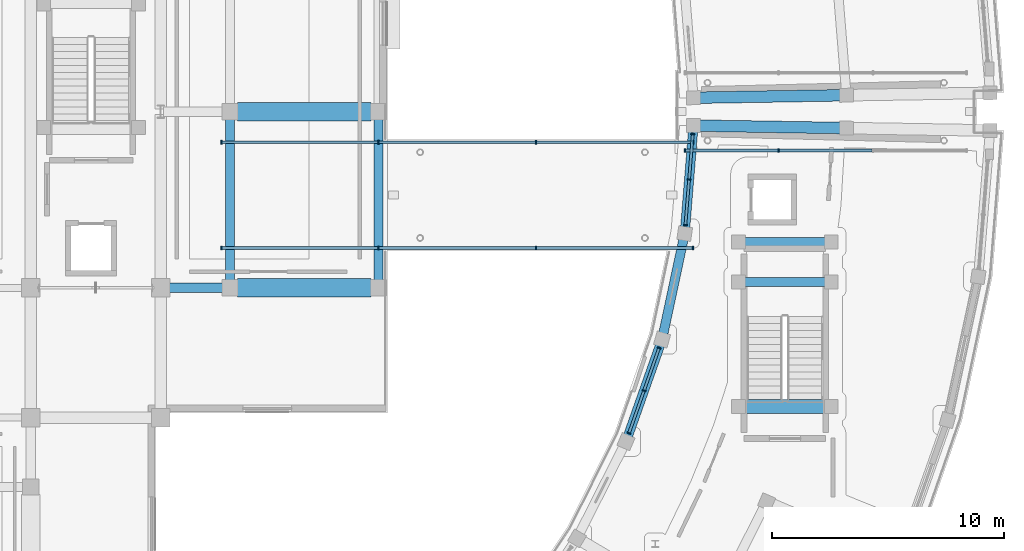
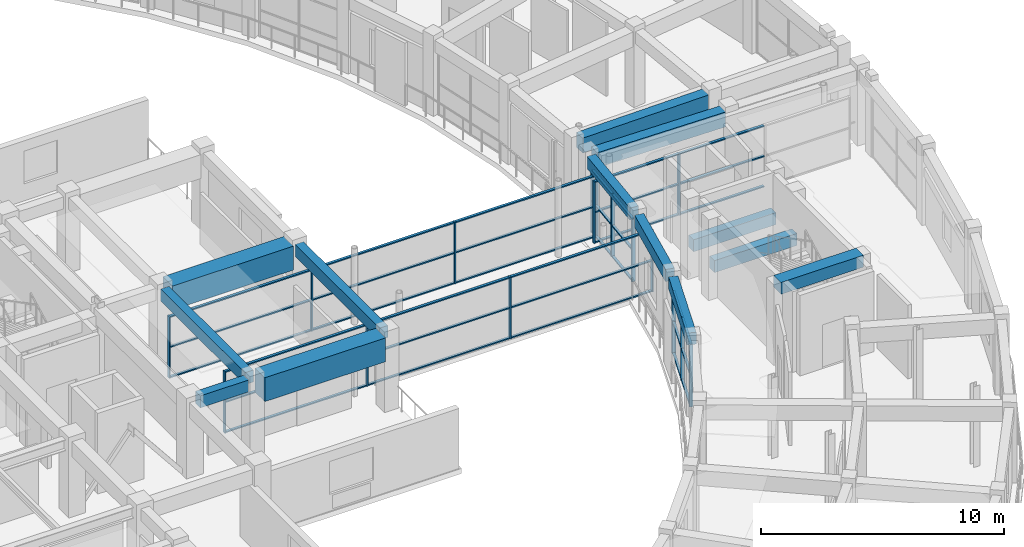
# One storey, part 25 of 70: 52 members, 13 beams, 5 elements without a shape of their own.
"""IFC4 building model written with IfcOpenShell, lengths in metres."""

from ifc_helpers import new_model, si_unit, direction, frame, origin, origin_2d, place, context, subcontext, project, spatial, rectangle, extrude, material, material_profile, profile_set, type_object, element, aggregate, save


model = new_model("IFC4")

# Units and contexts
model_context = context("Model", 3, precision=1e-05, world=origin(), true_north=direction((0.0, 1.0)))
body_context = subcontext(model_context, "Body", "Model", "MODEL_VIEW")
ifc_project = project(units=[si_unit("LENGTHUNIT", "METRE"), si_unit("AREAUNIT", "SQUARE_METRE"), si_unit("VOLUMEUNIT", "CUBIC_METRE"), si_unit("PLANEANGLEUNIT", "RADIAN"), si_unit("MASSUNIT", "GRAM", prefix="KILO")], contexts=[model_context])

# Site, building, storey
site_placement = place(None, origin())
site = spatial("IfcSite", under=ifc_project, at=site_placement, CompositionType="ELEMENT")
building_placement = place(site_placement, origin())
building = spatial("IfcBuilding", under=site, at=building_placement, Name="Saryqyr Civic Hall", CompositionType="ELEMENT")
storey_placement = place(building_placement, frame((0.0, 0.0, 13.199951171875)))
storey = spatial("IfcBuildingStorey", under=building, at=storey_placement, Name="L03", CompositionType="ELEMENT", Elevation=13.199951171875)

# Curtain wall, members
ifc_material_1 = material(Name="Anodised aluminium and triple low-E glass", Category="aluminium")
curtain_wall_type_1 = type_object("IfcCurtainWallType", Name="ENV-CW-STD-21", PredefinedType="NOTDEFINED", material=ifc_material_1)
curtain_wall_1_placement = place(storey_placement, origin())
curtain_wall_1 = element("IfcCurtainWall", 1, at=curtain_wall_1_placement, inside=storey, type_object=curtain_wall_type_1, Name="Curtain wall V5-CWI-L03-07", PredefinedType="NOTDEFINED")
ifc_material_2 = material(Name="Anodised aluminium", Category="aluminium")
ifc_material_profile_1 = material_profile(ifc_material_2, rectangle(XDim=0.06005859375, YDim=0.159912109375, at=origin_2d()), Name="ALU MULLION 60x160")
ifc_profile_set_1 = profile_set([ifc_material_profile_1], Name="Anodised aluminium")
member_type_1 = type_object("IfcMemberType", Name="ENV-CW-MUL-180", PredefinedType="MULLION", material=ifc_profile_set_1)
member_1_placement = place(storey_placement, frame((90.41162109375, 70.1279296875, 0.0), z_axis=(0.0, 0.0, 1.0), x_axis=(0.333171977335, 0.94286607401, 0.0)))
member_1 = element("IfcMember", 2, at=member_1_placement, type_object=member_type_1, Name="CW-21 mullion 1", PredefinedType="MULLION", context=body_context, shape_type="SweptSolid", body=[
    extrude(rectangle(XDim=0.06005859375, YDim=0.159912109375, at=origin_2d()), origin(), (0.0, 0.0, 1.0), 3.1650390625),
])
member_2_placement = place(storey_placement, frame((91.060302734375, 71.963623046875, 0.0), z_axis=(0.0, 0.0, 1.0), x_axis=(0.333171977335, 0.94286607401, 0.0)))
member_2 = element("IfcMember", 3, at=member_2_placement, type_object=member_type_1, Name="CW-21 mullion 2", PredefinedType="MULLION", context=body_context, shape_type="SweptSolid", body=[
    extrude(rectangle(XDim=0.06005859375, YDim=0.159912109375, at=origin_2d()), origin(), (0.0, 0.0, 1.0), 3.1650390625),
])
member_3_placement = place(storey_placement, frame((91.708984375, 73.799560546875, 0.0), z_axis=(0.0, 0.0, 1.0), x_axis=(0.333171977335, 0.94286607401, 0.0)))
member_3 = element("IfcMember", 4, at=member_3_placement, type_object=member_type_1, Name="CW-21 mullion 3", PredefinedType="MULLION", context=body_context, shape_type="SweptSolid", body=[
    extrude(rectangle(XDim=0.06005859375, YDim=0.159912109375, at=origin_2d()), origin(), (0.0, 0.0, 1.0), 3.1650390625),
])

curtain_wall_2_placement = place(storey_placement, origin())
curtain_wall_2 = element("IfcCurtainWall", 5, at=curtain_wall_2_placement, inside=storey, type_object=curtain_wall_type_1, Name="Curtain wall V5-CWI-L03-09", PredefinedType="NOTDEFINED")
member_4_placement = place(storey_placement, frame((92.845947265625, 79.10986328125, 0.0), z_axis=(0.0, 0.0, 1.0), x_axis=(0.081090889978, 0.996706710905, 0.0)))
member_4 = element("IfcMember", 6, at=member_4_placement, type_object=member_type_1, Name="CW-21 mullion 1", PredefinedType="MULLION", context=body_context, shape_type="SweptSolid", body=[
    extrude(rectangle(XDim=0.06005859375, YDim=0.159912109375, at=origin_2d()), origin(), (0.0, 0.0, 1.0), 3.1650390625),
])
member_5_placement = place(storey_placement, frame((93.00537109375, 81.06982421875, 0.0), z_axis=(0.0, 0.0, 1.0), x_axis=(0.081090889978, 0.996706710905, 0.0)))
member_5 = element("IfcMember", 7, at=member_5_placement, type_object=member_type_1, Name="CW-21 mullion 2", PredefinedType="MULLION", context=body_context, shape_type="SweptSolid", body=[
    extrude(rectangle(XDim=0.06005859375, YDim=0.159912109375, at=origin_2d()), origin(), (0.0, 0.0, 1.0), 3.1650390625),
])
member_6_placement = place(storey_placement, frame((93.164794921875, 83.02978515625, 0.0), z_axis=(0.0, 0.0, 1.0), x_axis=(0.081090889978, 0.996706710905, 0.0)))
member_6 = element("IfcMember", 8, at=member_6_placement, type_object=member_type_1, Name="CW-21 mullion 3", PredefinedType="MULLION", context=body_context, shape_type="SweptSolid", body=[
    extrude(rectangle(XDim=0.06005859375, YDim=0.159912109375, at=origin_2d()), origin(), (0.0, 0.0, 1.0), 3.1650390625),
])

curtain_wall_type_2 = type_object("IfcCurtainWallType", Name="ENV-CW-STD-81", PredefinedType="NOTDEFINED", material=ifc_material_1)
curtain_wall_3_placement = place(storey_placement, origin())
curtain_wall_3 = element("IfcCurtainWall", 9, at=curtain_wall_3_placement, inside=storey, type_object=curtain_wall_type_2, Name="Curtain wall BR-E-CW1-L03", PredefinedType="NOTDEFINED")
member_7_placement = place(storey_placement, frame((96.86669921875, 82.320068359375, 0.0), z_axis=(0.0, 0.0, 1.0), x_axis=(-1.0, 0.0, 0.0)))
member_7 = element("IfcMember", 10, at=member_7_placement, type_object=member_type_1, Name="CW-81 mullion 3", PredefinedType="MULLION", context=body_context, shape_type="SweptSolid", body=[
    extrude(rectangle(XDim=0.06005859375, YDim=0.159912109375, at=origin_2d()), origin(), (0.0, 0.0, 1.0), 3.10009765625),
])
member_8_placement = place(storey_placement, frame((92.830078125, 82.320068359375, 0.0), z_axis=(0.0, 0.0, 1.0), x_axis=(-1.0, 0.0, 0.0)))
member_8 = element("IfcMember", 11, at=member_8_placement, type_object=member_type_1, Name="CW-81 mullion 4", PredefinedType="MULLION", context=body_context, shape_type="SweptSolid", body=[
    extrude(rectangle(XDim=0.06005859375, YDim=0.159912109375, at=origin_2d()), origin(), (0.0, 0.0, 1.0), 3.10009765625),
])

curtain_wall_type_3 = type_object("IfcCurtainWallType", Name="ENV-CW-STD-87", PredefinedType="NOTDEFINED", material=ifc_material_1)
curtain_wall_4_placement = place(storey_placement, origin())
curtain_wall_4 = element("IfcCurtainWall", 12, at=curtain_wall_4_placement, inside=storey, type_object=curtain_wall_type_3, Name="Curtain wall BR-CE-CW1-L03", PredefinedType="NOTDEFINED")
member_9_placement = place(storey_placement, frame((93.169921875, 78.1201171875, 0.0), z_axis=(0.0, 0.0, 1.0), x_axis=(-1.0, 0.0, 0.0)))
member_9 = element("IfcMember", 13, at=member_9_placement, type_object=member_type_1, Name="CW-87 mullion 1", PredefinedType="MULLION", context=body_context, shape_type="SweptSolid", body=[
    extrude(rectangle(XDim=0.06005859375, YDim=0.159912109375, at=origin_2d()), origin(), (0.0, 0.0, 1.0), 3.10009765625),
])
member_10_placement = place(storey_placement, frame((86.39990234375, 78.1201171875, 0.0), z_axis=(0.0, 0.0, 1.0), x_axis=(-1.0, 0.0, 0.0)))
member_10 = element("IfcMember", 14, at=member_10_placement, type_object=member_type_1, Name="CW-87 mullion 2", PredefinedType="MULLION", context=body_context, shape_type="SweptSolid", body=[
    extrude(rectangle(XDim=0.06005859375, YDim=0.159912109375, at=origin_2d()), origin(), (0.0, 0.0, 1.0), 3.10009765625),
])
member_11_placement = place(storey_placement, frame((79.60009765625, 78.1201171875, 0.0), z_axis=(0.0, 0.0, 1.0), x_axis=(-1.0, 0.0, 0.0)))
member_11 = element("IfcMember", 15, at=member_11_placement, type_object=member_type_1, Name="CW-87 mullion 3", PredefinedType="MULLION", context=body_context, shape_type="SweptSolid", body=[
    extrude(rectangle(XDim=0.06005859375, YDim=0.159912109375, at=origin_2d()), origin(), (0.0, 0.0, 1.0), 3.10009765625),
])
member_12_placement = place(storey_placement, frame((72.830078125, 78.1201171875, 0.0), z_axis=(0.0, 0.0, 1.0), x_axis=(-1.0, 0.0, 0.0)))
member_12 = element("IfcMember", 16, at=member_12_placement, type_object=member_type_1, Name="CW-87 mullion 4", PredefinedType="MULLION", context=body_context, shape_type="SweptSolid", body=[
    extrude(rectangle(XDim=0.06005859375, YDim=0.159912109375, at=origin_2d()), origin(), (0.0, 0.0, 1.0), 3.10009765625),
])

curtain_wall_5_placement = place(storey_placement, origin())
curtain_wall_5 = element("IfcCurtainWall", 17, at=curtain_wall_5_placement, inside=storey, type_object=curtain_wall_type_3, Name="Curtain wall BR-CE-CW2-L03", PredefinedType="NOTDEFINED")
member_13_placement = place(storey_placement, frame((72.830078125, 82.679931640625, 0.0), z_axis=(0.0, 0.0, 1.0), x_axis=(1.0, 0.0, 0.0)))
member_13 = element("IfcMember", 18, at=member_13_placement, type_object=member_type_1, Name="CW-87 mullion 1", PredefinedType="MULLION", context=body_context, shape_type="SweptSolid", body=[
    extrude(rectangle(XDim=0.06005859375, YDim=0.159912109375, at=origin_2d()), origin(), (0.0, 0.0, 1.0), 3.10009765625),
])
member_14_placement = place(storey_placement, frame((79.60009765625, 82.679931640625, 0.0), z_axis=(0.0, 0.0, 1.0), x_axis=(1.0, 0.0, 0.0)))
member_14 = element("IfcMember", 19, at=member_14_placement, type_object=member_type_1, Name="CW-87 mullion 2", PredefinedType="MULLION", context=body_context, shape_type="SweptSolid", body=[
    extrude(rectangle(XDim=0.06005859375, YDim=0.159912109375, at=origin_2d()), origin(), (0.0, 0.0, 1.0), 3.10009765625),
])
member_15_placement = place(storey_placement, frame((86.39990234375, 82.679931640625, 0.0), z_axis=(0.0, 0.0, 1.0), x_axis=(1.0, 0.0, 0.0)))
member_15 = element("IfcMember", 20, at=member_15_placement, type_object=member_type_1, Name="CW-87 mullion 3", PredefinedType="MULLION", context=body_context, shape_type="SweptSolid", body=[
    extrude(rectangle(XDim=0.06005859375, YDim=0.159912109375, at=origin_2d()), origin(), (0.0, 0.0, 1.0), 3.10009765625),
])
member_16_placement = place(storey_placement, frame((93.169921875, 82.679931640625, 0.0), z_axis=(0.0, 0.0, 1.0), x_axis=(1.0, 0.0, 0.0)))
member_16 = element("IfcMember", 21, at=member_16_placement, type_object=member_type_1, Name="CW-87 mullion 4", PredefinedType="MULLION", context=body_context, shape_type="SweptSolid", body=[
    extrude(rectangle(XDim=0.06005859375, YDim=0.159912109375, at=origin_2d()), origin(), (0.0, 0.0, 1.0), 3.10009765625),
])

# Member
ifc_material_profile_2 = material_profile(ifc_material_2, rectangle(XDim=0.1201171875, YDim=0.06005859375, at=origin_2d()), Name="ALU TRANSOM 120x60")
ifc_profile_set_2 = profile_set([ifc_material_profile_2], Name="Anodised aluminium")
member_type_2 = type_object("IfcMemberType", Name="ENV-CW-TRN-150", PredefinedType="USERDEFINED", material=ifc_profile_set_2)
member_17_placement = place(storey_placement, frame((90.421630859375, 70.15625, 0.030029296875), z_axis=(0.333178802066, 0.942863662389, 0.0), x_axis=(-0.942863662389, 0.333178802066, 0.0)))
member_17 = element("IfcMember", 22, at=member_17_placement, type_object=member_type_2, Name="CW-21 transom 1.1", ObjectType="TRANSOM", PredefinedType="USERDEFINED", context=body_context, shape_type="SweptSolid", body=[
    extrude(rectangle(XDim=0.1201171875, YDim=0.06005859375, at=origin_2d()), origin(), (0.0, 0.0, 1.0), 1.886962890625),
])

member_18_placement = place(storey_placement, frame((90.421630859375, 70.15625, 1.58203125), z_axis=(0.333178802066, 0.942863662389, 0.0), x_axis=(-0.942863662389, 0.333178802066, 0.0)))
member_18 = element("IfcMember", 23, at=member_18_placement, type_object=member_type_2, Name="CW-21 transom 1.2", ObjectType="TRANSOM", PredefinedType="USERDEFINED", context=body_context, shape_type="SweptSolid", body=[
    extrude(rectangle(XDim=0.1201171875, YDim=0.06005859375, at=origin_2d()), origin(), (0.0, 0.0, 1.0), 1.886962890625),
])

member_19_placement = place(storey_placement, frame((90.421630859375, 70.15625, 3.135009765625), z_axis=(0.333178802066, 0.942863662389, 0.0), x_axis=(-0.942863662389, 0.333178802066, 0.0)))
member_19 = element("IfcMember", 24, at=member_19_placement, type_object=member_type_2, Name="CW-21 transom 1.3", ObjectType="TRANSOM", PredefinedType="USERDEFINED", context=body_context, shape_type="SweptSolid", body=[
    extrude(rectangle(XDim=0.1201171875, YDim=0.06005859375, at=origin_2d()), origin(), (0.0, 0.0, 1.0), 1.886962890625),
])

member_20_placement = place(storey_placement, frame((91.0703125, 71.991943359375, 0.030029296875), z_axis=(0.333138159912, 0.942878023082, 0.0), x_axis=(-0.942878023082, 0.333138159912, 0.0)))
member_20 = element("IfcMember", 25, at=member_20_placement, type_object=member_type_2, Name="CW-21 transom 2.1", ObjectType="TRANSOM", PredefinedType="USERDEFINED", context=body_context, shape_type="SweptSolid", body=[
    extrude(rectangle(XDim=0.1201171875, YDim=0.06005859375, at=origin_2d()), origin(), (0.0, 0.0, 1.0), 1.88720703125),
])

member_21_placement = place(storey_placement, frame((91.0703125, 71.991943359375, 1.58203125), z_axis=(0.333138159912, 0.942878023082, 0.0), x_axis=(-0.942878023082, 0.333138159912, 0.0)))
member_21 = element("IfcMember", 26, at=member_21_placement, type_object=member_type_2, Name="CW-21 transom 2.2", ObjectType="TRANSOM", PredefinedType="USERDEFINED", context=body_context, shape_type="SweptSolid", body=[
    extrude(rectangle(XDim=0.1201171875, YDim=0.06005859375, at=origin_2d()), origin(), (0.0, 0.0, 1.0), 1.88720703125),
])

member_22_placement = place(storey_placement, frame((91.0703125, 71.991943359375, 3.135009765625), z_axis=(0.333138159912, 0.942878023082, 0.0), x_axis=(-0.942878023082, 0.333138159912, 0.0)))
member_22 = element("IfcMember", 27, at=member_22_placement, type_object=member_type_2, Name="CW-21 transom 2.3", ObjectType="TRANSOM", PredefinedType="USERDEFINED", context=body_context, shape_type="SweptSolid", body=[
    extrude(rectangle(XDim=0.1201171875, YDim=0.06005859375, at=origin_2d()), origin(), (0.0, 0.0, 1.0), 1.88720703125),
])

aggregate(curtain_wall_1, [member_1, member_2, member_3, member_17, member_18, member_19, member_20, member_21, member_22])

member_23_placement = place(storey_placement, frame((92.848388671875, 79.1396484375, 0.030029296875), z_axis=(0.081053095321, 0.996709785112, 0.0), x_axis=(-0.996709785112, 0.081053095321, 0.0)))
member_23 = element("IfcMember", 28, at=member_23_placement, type_object=member_type_2, Name="CW-21 transom 1.1", ObjectType="TRANSOM", PredefinedType="USERDEFINED", context=body_context, shape_type="SweptSolid", body=[
    extrude(rectangle(XDim=0.1201171875, YDim=0.06005859375, at=origin_2d()), origin(), (0.0, 0.0, 1.0), 1.90673828125),
])

member_24_placement = place(storey_placement, frame((92.848388671875, 79.1396484375, 1.58203125), z_axis=(0.081053095321, 0.996709785112, 0.0), x_axis=(-0.996709785112, 0.081053095321, 0.0)))
member_24 = element("IfcMember", 29, at=member_24_placement, type_object=member_type_2, Name="CW-21 transom 1.2", ObjectType="TRANSOM", PredefinedType="USERDEFINED", context=body_context, shape_type="SweptSolid", body=[
    extrude(rectangle(XDim=0.1201171875, YDim=0.06005859375, at=origin_2d()), origin(), (0.0, 0.0, 1.0), 1.90673828125),
])

member_25_placement = place(storey_placement, frame((92.848388671875, 79.1396484375, 3.135009765625), z_axis=(0.081053095321, 0.996709785112, 0.0), x_axis=(-0.996709785112, 0.081053095321, 0.0)))
member_25 = element("IfcMember", 30, at=member_25_placement, type_object=member_type_2, Name="CW-21 transom 1.3", ObjectType="TRANSOM", PredefinedType="USERDEFINED", context=body_context, shape_type="SweptSolid", body=[
    extrude(rectangle(XDim=0.1201171875, YDim=0.06005859375, at=origin_2d()), origin(), (0.0, 0.0, 1.0), 1.90673828125),
])

member_26_placement = place(storey_placement, frame((93.0078125, 81.099853515625, 0.030029296875), z_axis=(0.081063441011, 0.99670894374, 0.0), x_axis=(-0.99670894374, 0.081063441011, 0.0)))
member_26 = element("IfcMember", 31, at=member_26_placement, type_object=member_type_2, Name="CW-21 transom 2.1", ObjectType="TRANSOM", PredefinedType="USERDEFINED", context=body_context, shape_type="SweptSolid", body=[
    extrude(rectangle(XDim=0.1201171875, YDim=0.06005859375, at=origin_2d()), origin(), (0.0, 0.0, 1.0), 1.906494140625),
])

member_27_placement = place(storey_placement, frame((93.0078125, 81.099853515625, 1.58203125), z_axis=(0.081063441011, 0.99670894374, 0.0), x_axis=(-0.99670894374, 0.081063441011, 0.0)))
member_27 = element("IfcMember", 32, at=member_27_placement, type_object=member_type_2, Name="CW-21 transom 2.2", ObjectType="TRANSOM", PredefinedType="USERDEFINED", context=body_context, shape_type="SweptSolid", body=[
    extrude(rectangle(XDim=0.1201171875, YDim=0.06005859375, at=origin_2d()), origin(), (0.0, 0.0, 1.0), 1.906494140625),
])

member_28_placement = place(storey_placement, frame((93.0078125, 81.099853515625, 3.135009765625), z_axis=(0.081063441011, 0.99670894374, 0.0), x_axis=(-0.99670894374, 0.081063441011, 0.0)))
member_28 = element("IfcMember", 33, at=member_28_placement, type_object=member_type_2, Name="CW-21 transom 2.3", ObjectType="TRANSOM", PredefinedType="USERDEFINED", context=body_context, shape_type="SweptSolid", body=[
    extrude(rectangle(XDim=0.1201171875, YDim=0.06005859375, at=origin_2d()), origin(), (0.0, 0.0, 1.0), 1.906494140625),
])

aggregate(curtain_wall_2, [member_4, member_5, member_6, member_23, member_24, member_25, member_26, member_27, member_28])

member_29_placement = place(storey_placement, frame((100.9033203125, 82.320068359375, 0.030029296875), z_axis=(-1.0, 0.0, 0.0), x_axis=(0.0, -1.0, 0.0)))
member_29 = element("IfcMember", 34, at=member_29_placement, type_object=member_type_2, Name="CW-81 transom 2.1", ObjectType="TRANSOM", PredefinedType="USERDEFINED", context=body_context, shape_type="SweptSolid", body=[
    extrude(rectangle(XDim=0.1201171875, YDim=0.06005859375, at=origin_2d()), origin(), (0.0, 0.0, 1.0), 4.006591796875),
])

member_30_placement = place(storey_placement, frame((100.9033203125, 82.320068359375, 1.550048828125), z_axis=(-1.0, 0.0, 0.0), x_axis=(0.0, -1.0, 0.0)))
member_30 = element("IfcMember", 35, at=member_30_placement, type_object=member_type_2, Name="CW-81 transom 2.2", ObjectType="TRANSOM", PredefinedType="USERDEFINED", context=body_context, shape_type="SweptSolid", body=[
    extrude(rectangle(XDim=0.1201171875, YDim=0.06005859375, at=origin_2d()), origin(), (0.0, 0.0, 1.0), 4.006591796875),
])

member_31_placement = place(storey_placement, frame((100.9033203125, 82.320068359375, 3.070068359375), z_axis=(-1.0, 0.0, 0.0), x_axis=(0.0, -1.0, 0.0)))
member_31 = element("IfcMember", 36, at=member_31_placement, type_object=member_type_2, Name="CW-81 transom 2.3", ObjectType="TRANSOM", PredefinedType="USERDEFINED", context=body_context, shape_type="SweptSolid", body=[
    extrude(rectangle(XDim=0.1201171875, YDim=0.06005859375, at=origin_2d()), origin(), (0.0, 0.0, 1.0), 4.006591796875),
])

member_32_placement = place(storey_placement, frame((96.836669921875, 82.320068359375, 0.030029296875), z_axis=(-1.0, 0.0, 0.0), x_axis=(0.0, -1.0, 0.0)))
member_32 = element("IfcMember", 37, at=member_32_placement, type_object=member_type_2, Name="CW-81 transom 3.1", ObjectType="TRANSOM", PredefinedType="USERDEFINED", context=body_context, shape_type="SweptSolid", body=[
    extrude(rectangle(XDim=0.1201171875, YDim=0.06005859375, at=origin_2d()), origin(), (0.0, 0.0, 1.0), 3.9765625),
])

member_33_placement = place(storey_placement, frame((96.836669921875, 82.320068359375, 1.550048828125), z_axis=(-1.0, 0.0, 0.0), x_axis=(0.0, -1.0, 0.0)))
member_33 = element("IfcMember", 38, at=member_33_placement, type_object=member_type_2, Name="CW-81 transom 3.2", ObjectType="TRANSOM", PredefinedType="USERDEFINED", context=body_context, shape_type="SweptSolid", body=[
    extrude(rectangle(XDim=0.1201171875, YDim=0.06005859375, at=origin_2d()), origin(), (0.0, 0.0, 1.0), 3.9765625),
])

member_34_placement = place(storey_placement, frame((96.836669921875, 82.320068359375, 3.070068359375), z_axis=(-1.0, 0.0, 0.0), x_axis=(0.0, -1.0, 0.0)))
member_34 = element("IfcMember", 39, at=member_34_placement, type_object=member_type_2, Name="CW-81 transom 3.3", ObjectType="TRANSOM", PredefinedType="USERDEFINED", context=body_context, shape_type="SweptSolid", body=[
    extrude(rectangle(XDim=0.1201171875, YDim=0.06005859375, at=origin_2d()), origin(), (0.0, 0.0, 1.0), 3.9765625),
])

aggregate(curtain_wall_3, [member_7, member_8, member_29, member_30, member_31, member_32, member_33, member_34])

member_35_placement = place(storey_placement, frame((93.139892578125, 78.1201171875, 0.030029296875), z_axis=(-1.0, 0.0, 0.0), x_axis=(0.0, -1.0, 0.0)))
member_35 = element("IfcMember", 40, at=member_35_placement, type_object=member_type_2, Name="CW-87 transom 1.1", ObjectType="TRANSOM", PredefinedType="USERDEFINED", context=body_context, shape_type="SweptSolid", body=[
    extrude(rectangle(XDim=0.1201171875, YDim=0.06005859375, at=origin_2d()), origin(), (0.0, 0.0, 1.0), 6.7099609375),
])

member_36_placement = place(storey_placement, frame((93.139892578125, 78.1201171875, 1.550048828125), z_axis=(-1.0, 0.0, 0.0), x_axis=(0.0, -1.0, 0.0)))
member_36 = element("IfcMember", 41, at=member_36_placement, type_object=member_type_2, Name="CW-87 transom 1.2", ObjectType="TRANSOM", PredefinedType="USERDEFINED", context=body_context, shape_type="SweptSolid", body=[
    extrude(rectangle(XDim=0.1201171875, YDim=0.06005859375, at=origin_2d()), origin(), (0.0, 0.0, 1.0), 6.7099609375),
])

member_37_placement = place(storey_placement, frame((93.139892578125, 78.1201171875, 3.070068359375), z_axis=(-1.0, 0.0, 0.0), x_axis=(0.0, -1.0, 0.0)))
member_37 = element("IfcMember", 42, at=member_37_placement, type_object=member_type_2, Name="CW-87 transom 1.3", ObjectType="TRANSOM", PredefinedType="USERDEFINED", context=body_context, shape_type="SweptSolid", body=[
    extrude(rectangle(XDim=0.1201171875, YDim=0.06005859375, at=origin_2d()), origin(), (0.0, 0.0, 1.0), 6.7099609375),
])

member_38_placement = place(storey_placement, frame((86.3701171875, 78.1201171875, 0.030029296875), z_axis=(-1.0, 0.0, 0.0), x_axis=(0.0, -1.0, 0.0)))
member_38 = element("IfcMember", 43, at=member_38_placement, type_object=member_type_2, Name="CW-87 transom 2.1", ObjectType="TRANSOM", PredefinedType="USERDEFINED", context=body_context, shape_type="SweptSolid", body=[
    extrude(rectangle(XDim=0.1201171875, YDim=0.06005859375, at=origin_2d()), origin(), (0.0, 0.0, 1.0), 6.740234375),
])

member_39_placement = place(storey_placement, frame((86.3701171875, 78.1201171875, 1.550048828125), z_axis=(-1.0, 0.0, 0.0), x_axis=(0.0, -1.0, 0.0)))
member_39 = element("IfcMember", 44, at=member_39_placement, type_object=member_type_2, Name="CW-87 transom 2.2", ObjectType="TRANSOM", PredefinedType="USERDEFINED", context=body_context, shape_type="SweptSolid", body=[
    extrude(rectangle(XDim=0.1201171875, YDim=0.06005859375, at=origin_2d()), origin(), (0.0, 0.0, 1.0), 6.740234375),
])

member_40_placement = place(storey_placement, frame((86.3701171875, 78.1201171875, 3.070068359375), z_axis=(-1.0, 0.0, 0.0), x_axis=(0.0, -1.0, 0.0)))
member_40 = element("IfcMember", 45, at=member_40_placement, type_object=member_type_2, Name="CW-87 transom 2.3", ObjectType="TRANSOM", PredefinedType="USERDEFINED", context=body_context, shape_type="SweptSolid", body=[
    extrude(rectangle(XDim=0.1201171875, YDim=0.06005859375, at=origin_2d()), origin(), (0.0, 0.0, 1.0), 6.740234375),
])

member_41_placement = place(storey_placement, frame((79.570068359375, 78.1201171875, 0.030029296875), z_axis=(-1.0, 0.0, 0.0), x_axis=(0.0, -1.0, 0.0)))
member_41 = element("IfcMember", 46, at=member_41_placement, type_object=member_type_2, Name="CW-87 transom 3.1", ObjectType="TRANSOM", PredefinedType="USERDEFINED", context=body_context, shape_type="SweptSolid", body=[
    extrude(rectangle(XDim=0.1201171875, YDim=0.06005859375, at=origin_2d()), origin(), (0.0, 0.0, 1.0), 6.7099609375),
])

member_42_placement = place(storey_placement, frame((79.570068359375, 78.1201171875, 1.550048828125), z_axis=(-1.0, 0.0, 0.0), x_axis=(0.0, -1.0, 0.0)))
member_42 = element("IfcMember", 47, at=member_42_placement, type_object=member_type_2, Name="CW-87 transom 3.2", ObjectType="TRANSOM", PredefinedType="USERDEFINED", context=body_context, shape_type="SweptSolid", body=[
    extrude(rectangle(XDim=0.1201171875, YDim=0.06005859375, at=origin_2d()), origin(), (0.0, 0.0, 1.0), 6.7099609375),
])

member_43_placement = place(storey_placement, frame((79.570068359375, 78.1201171875, 3.070068359375), z_axis=(-1.0, 0.0, 0.0), x_axis=(0.0, -1.0, 0.0)))
member_43 = element("IfcMember", 48, at=member_43_placement, type_object=member_type_2, Name="CW-87 transom 3.3", ObjectType="TRANSOM", PredefinedType="USERDEFINED", context=body_context, shape_type="SweptSolid", body=[
    extrude(rectangle(XDim=0.1201171875, YDim=0.06005859375, at=origin_2d()), origin(), (0.0, 0.0, 1.0), 6.7099609375),
])

aggregate(curtain_wall_4, [member_9, member_10, member_11, member_12, member_35, member_36, member_37, member_38, member_39, member_40, member_41, member_42, member_43])

member_44_placement = place(storey_placement, frame((72.860107421875, 82.679931640625, 0.030029296875), z_axis=(1.0, 0.0, 0.0), x_axis=(0.0, 1.0, 0.0)))
member_44 = element("IfcMember", 49, at=member_44_placement, type_object=member_type_2, Name="CW-87 transom 1.1", ObjectType="TRANSOM", PredefinedType="USERDEFINED", context=body_context, shape_type="SweptSolid", body=[
    extrude(rectangle(XDim=0.1201171875, YDim=0.06005859375, at=origin_2d()), origin(), (0.0, 0.0, 1.0), 6.7099609375),
])

member_45_placement = place(storey_placement, frame((72.860107421875, 82.679931640625, 1.550048828125), z_axis=(1.0, 0.0, 0.0), x_axis=(0.0, 1.0, 0.0)))
member_45 = element("IfcMember", 50, at=member_45_placement, type_object=member_type_2, Name="CW-87 transom 1.2", ObjectType="TRANSOM", PredefinedType="USERDEFINED", context=body_context, shape_type="SweptSolid", body=[
    extrude(rectangle(XDim=0.1201171875, YDim=0.06005859375, at=origin_2d()), origin(), (0.0, 0.0, 1.0), 6.7099609375),
])

member_46_placement = place(storey_placement, frame((72.860107421875, 82.679931640625, 3.070068359375), z_axis=(1.0, 0.0, 0.0), x_axis=(0.0, 1.0, 0.0)))
member_46 = element("IfcMember", 51, at=member_46_placement, type_object=member_type_2, Name="CW-87 transom 1.3", ObjectType="TRANSOM", PredefinedType="USERDEFINED", context=body_context, shape_type="SweptSolid", body=[
    extrude(rectangle(XDim=0.1201171875, YDim=0.06005859375, at=origin_2d()), origin(), (0.0, 0.0, 1.0), 6.7099609375),
])

member_47_placement = place(storey_placement, frame((79.6298828125, 82.679931640625, 0.030029296875), z_axis=(1.0, 0.0, 0.0), x_axis=(0.0, 1.0, 0.0)))
member_47 = element("IfcMember", 52, at=member_47_placement, type_object=member_type_2, Name="CW-87 transom 2.1", ObjectType="TRANSOM", PredefinedType="USERDEFINED", context=body_context, shape_type="SweptSolid", body=[
    extrude(rectangle(XDim=0.1201171875, YDim=0.06005859375, at=origin_2d()), origin(), (0.0, 0.0, 1.0), 6.740234375),
])

member_48_placement = place(storey_placement, frame((79.6298828125, 82.679931640625, 1.550048828125), z_axis=(1.0, 0.0, 0.0), x_axis=(0.0, 1.0, 0.0)))
member_48 = element("IfcMember", 53, at=member_48_placement, type_object=member_type_2, Name="CW-87 transom 2.2", ObjectType="TRANSOM", PredefinedType="USERDEFINED", context=body_context, shape_type="SweptSolid", body=[
    extrude(rectangle(XDim=0.1201171875, YDim=0.06005859375, at=origin_2d()), origin(), (0.0, 0.0, 1.0), 6.740234375),
])

member_49_placement = place(storey_placement, frame((79.6298828125, 82.679931640625, 3.070068359375), z_axis=(1.0, 0.0, 0.0), x_axis=(0.0, 1.0, 0.0)))
member_49 = element("IfcMember", 54, at=member_49_placement, type_object=member_type_2, Name="CW-87 transom 2.3", ObjectType="TRANSOM", PredefinedType="USERDEFINED", context=body_context, shape_type="SweptSolid", body=[
    extrude(rectangle(XDim=0.1201171875, YDim=0.06005859375, at=origin_2d()), origin(), (0.0, 0.0, 1.0), 6.740234375),
])

member_50_placement = place(storey_placement, frame((86.429931640625, 82.679931640625, 0.030029296875), z_axis=(1.0, 0.0, 0.0), x_axis=(0.0, 1.0, 0.0)))
member_50 = element("IfcMember", 55, at=member_50_placement, type_object=member_type_2, Name="CW-87 transom 3.1", ObjectType="TRANSOM", PredefinedType="USERDEFINED", context=body_context, shape_type="SweptSolid", body=[
    extrude(rectangle(XDim=0.1201171875, YDim=0.06005859375, at=origin_2d()), origin(), (0.0, 0.0, 1.0), 6.7099609375),
])

member_51_placement = place(storey_placement, frame((86.429931640625, 82.679931640625, 1.550048828125), z_axis=(1.0, 0.0, 0.0), x_axis=(0.0, 1.0, 0.0)))
member_51 = element("IfcMember", 56, at=member_51_placement, type_object=member_type_2, Name="CW-87 transom 3.2", ObjectType="TRANSOM", PredefinedType="USERDEFINED", context=body_context, shape_type="SweptSolid", body=[
    extrude(rectangle(XDim=0.1201171875, YDim=0.06005859375, at=origin_2d()), origin(), (0.0, 0.0, 1.0), 6.7099609375),
])

member_52_placement = place(storey_placement, frame((86.429931640625, 82.679931640625, 3.070068359375), z_axis=(1.0, 0.0, 0.0), x_axis=(0.0, 1.0, 0.0)))
member_52 = element("IfcMember", 57, at=member_52_placement, type_object=member_type_2, Name="CW-87 transom 3.3", ObjectType="TRANSOM", PredefinedType="USERDEFINED", context=body_context, shape_type="SweptSolid", body=[
    extrude(rectangle(XDim=0.1201171875, YDim=0.06005859375, at=origin_2d()), origin(), (0.0, 0.0, 1.0), 6.7099609375),
])

aggregate(curtain_wall_5, [member_13, member_14, member_15, member_16, member_44, member_45, member_46, member_47, member_48, member_49, member_50, member_51, member_52])

# Beams
ifc_material_3 = material(Name="Concrete C35/45", Category="concrete")
ifc_material_profile_3 = material_profile(ifc_material_3, rectangle(XDim=0.39990234375, YDim=0.60009765625, at=origin_2d()), Name="RC 400x600")
ifc_profile_set_3 = profile_set([ifc_material_profile_3], Name="Concrete C35/45")
beam_type_1 = type_object("IfcBeamType", Name="STR-BM-RC400x600", PredefinedType="BEAM", material=ifc_profile_set_3)
beam_1_placement = place(storey_placement, frame((79.60009765625, 76.72509765625, 3.489990234375), z_axis=(0.0, 1.0, 0.0), x_axis=(-1.0, 0.0, 0.0)))
element("IfcBeam", 58, at=beam_1_placement, inside=storey, type_object=beam_type_1, Name="Beam V1-TBM-03-L03", PredefinedType="BEAM", context=body_context, shape_type="SweptSolid", body=[
    extrude(rectangle(XDim=0.39990234375, YDim=0.60009765625, at=origin_2d()), origin(), (0.0, 0.0, 1.0), 6.949951171875),
])
beam_2_placement = place(storey_placement, frame((70.574951171875, 76.39990234375, 3.489990234375), z_axis=(1.0, 0.0, 0.0), x_axis=(0.0, 1.0, 0.0)))
element("IfcBeam", 59, at=beam_2_placement, inside=storey, type_object=beam_type_1, Name="Beam V1-TBM-12-L03", PredefinedType="BEAM", context=body_context, shape_type="SweptSolid", body=[
    extrude(rectangle(XDim=0.39990234375, YDim=0.60009765625, at=origin_2d()), origin(), (0.0, 0.0, 1.0), 2.300048828125),
])
beam_3_placement = place(storey_placement, frame((73.199951171875, 76.72509765625, 3.489990234375), z_axis=(0.0, 1.0, 0.0), x_axis=(-1.0, 0.0, 0.0)))
element("IfcBeam", 60, at=beam_3_placement, inside=storey, type_object=beam_type_1, Name="Beam V1-TBM-21-L03", PredefinedType="BEAM", context=body_context, shape_type="SweptSolid", body=[
    extrude(rectangle(XDim=0.39990234375, YDim=0.60009765625, at=origin_2d()), origin(), (0.0, 0.0, 1.0), 6.949951171875),
])
for number, where, z_axis, x_axis, name in (
    (61, (99.10009765625, 76.64990234375, 1.525146484375), (-1.0, 0.0, 0.0), (0.0, -1.0, 0.0), "Stair half-landing support beam ST-5-LND1-L03"),
    (62, (99.10009765625, 78.3798828125, 1.525146484375), (-1.0, 0.0, 0.0), (0.0, -1.0, 0.0), "Stair half-landing support beam ST-5-LND2-L03"),
):
    element("IfcBeam", number, at=place(storey_placement, frame(where, z_axis=z_axis, x_axis=x_axis)), inside=storey, type_object=beam_type_1, Name=name, PredefinedType="BEAM", context=body_context, shape_type="SweptSolid", body=[
        extrude(rectangle(XDim=0.39990234375, YDim=0.60009765625, at=origin_2d()), origin(), (0.0, 0.0, 1.0), 3.920166015625),
    ])
ifc_material_profile_4 = material_profile(ifc_material_3, rectangle(XDim=0.39990234375, YDim=0.60009765625, at=origin_2d()), Name="RC 400x600")
ifc_profile_set_4 = profile_set([ifc_material_profile_4], Name="Concrete C35/45")
beam_type_2 = type_object("IfcBeamType", Name="STR-BM-RC400x600-EXT", PredefinedType="BEAM", material=ifc_profile_set_4)
beam_4_placement = place(storey_placement, frame((90.373046875, 70.018798828125, 3.489990234375), z_axis=(0.333185372097, 0.942861340718, 0.0), x_axis=(-0.942861340718, 0.333185372097, 0.0)))
element("IfcBeam", 63, at=beam_4_placement, inside=storey, type_object=beam_type_2, Name="Beam V5-CBM-IN07-L03", PredefinedType="BEAM", context=body_context, shape_type="SweptSolid", body=[
    extrude(rectangle(XDim=0.39990234375, YDim=0.60009765625, at=origin_2d()), origin(), (0.0, 0.0, 1.0), 4.12548828125),
])
beam_5_placement = place(storey_placement, frame((91.896484375, 74.436767578125, 3.489990234375), z_axis=(0.208914702751, 0.97793386636, 0.0), x_axis=(-0.97793386636, 0.208914702751, 0.0)))
element("IfcBeam", 64, at=beam_5_placement, inside=storey, type_object=beam_type_2, Name="Beam V5-CBM-IN08-L03", PredefinedType="BEAM", context=body_context, shape_type="SweptSolid", body=[
    extrude(rectangle(XDim=0.39990234375, YDim=0.60009765625, at=origin_2d()), origin(), (0.0, 0.0, 1.0), 4.125244140625),
])
beam_6_placement = place(storey_placement, frame((92.838134765625, 79.013916015625, 3.489990234375), z_axis=(0.081076463708, 0.996707884504, 0.0), x_axis=(-0.996707884504, 0.081076463708, 0.0)))
element("IfcBeam", 65, at=beam_6_placement, inside=storey, type_object=beam_type_2, Name="Beam V5-CBM-IN09-L03", PredefinedType="BEAM", context=body_context, shape_type="SweptSolid", body=[
    extrude(rectangle(XDim=0.39990234375, YDim=0.60009765625, at=origin_2d()), origin(), (0.0, 0.0, 1.0), 4.12548828125),
])
ifc_material_4 = material(Name="Concrete C40/50", Category="concrete")
ifc_material_profile_5 = material_profile(ifc_material_4, rectangle(XDim=0.5, YDim=0.75, at=origin_2d()), Name="RC 500x750")
ifc_profile_set_5 = profile_set([ifc_material_profile_5], Name="Concrete C40/50")
beam_type_3 = type_object("IfcBeamType", Name="STR-BM-RC500x750", PredefinedType="BEAM", material=ifc_profile_set_5)
for number, where, z_axis, x_axis, name in (
    (66, (93.469970703125, 83.395263671875, 3.4150390625), (0.9998624481, -0.016585682939, 0.0), (0.016585682939, 0.9998624481, 0.0), "Beam V5-RBM-A10-L03"),
    (67, (93.469970703125, 84.604736328125, 3.4150390625), (0.9998624481, 0.016585682939, 0.0), (-0.016585682939, 0.9998624481, 0.0), "Beam V6-RBM-A00-L03"),
):
    element("IfcBeam", number, at=place(storey_placement, frame(where, z_axis=z_axis, x_axis=x_axis)), inside=storey, type_object=beam_type_3, Name=name, PredefinedType="BEAM", context=body_context, shape_type="SweptSolid", body=[
        extrude(rectangle(XDim=0.5, YDim=0.75, at=origin_2d()), origin(), (0.0, 0.0, 1.0), 6.0498046875),
    ])
ifc_material_profile_6 = material_profile(ifc_material_4, rectangle(XDim=0.60009765625, YDim=0.60009765625, at=origin_2d()), Name="RC 600x600")
ifc_profile_set_6 = profile_set([ifc_material_profile_6], Name="Concrete C40/50")
beam_type_4 = type_object("IfcBeamType", Name="STR-BM-RC600x600", PredefinedType="BEAM", material=ifc_profile_set_6)
beam_7_placement = place(storey_placement, frame((99.10009765625, 71.27490234375, 3.75), z_axis=(-1.0, 0.0, 0.0), x_axis=(0.0, -1.0, 0.0)))
element("IfcBeam", 68, at=beam_7_placement, inside=storey, type_object=beam_type_4, Name="Stair well trimmer beam ST-5-L04", PredefinedType="BEAM", context=body_context, shape_type="SweptSolid", body=[
    extrude(rectangle(XDim=0.60009765625, YDim=0.60009765625, at=origin_2d()), origin(), (0.0, 0.0, 1.0), 3.920166015625),
])
ifc_material_profile_7 = material_profile(ifc_material_4, rectangle(XDim=0.800048828125, YDim=1.199951171875, at=origin_2d()), Name="RC 800x1200")
ifc_profile_set_7 = profile_set([ifc_material_profile_7], Name="Concrete C40/50")
beam_type_5 = type_object("IfcBeamType", Name="STR-TG-RC800x1200", PredefinedType="USERDEFINED", material=ifc_profile_set_7)
for number, where, z_axis, x_axis, name in (
    (69, (73.52490234375, 76.39990234375, 3.18994140625), (1.0, 0.0, 0.0), (0.0, 1.0, 0.0), "Beam V1-TG-E1-L03"),
    (70, (73.52490234375, 84.0, 3.18994140625), (1.0, 0.0, 0.0), (0.0, 1.0, 0.0), "Beam V1-TG-E2-L03"),
):
    element("IfcBeam", number, at=place(storey_placement, frame(where, z_axis=z_axis, x_axis=x_axis)), inside=storey, type_object=beam_type_5, Name=name, ObjectType="TRANSFER_GIRDER", PredefinedType="USERDEFINED", context=body_context, shape_type="SweptSolid", body=[
        extrude(rectangle(XDim=0.800048828125, YDim=1.199951171875, at=origin_2d()), origin(), (0.0, 0.0, 1.0), 5.75),
    ])

save(model, "model.ifc")
